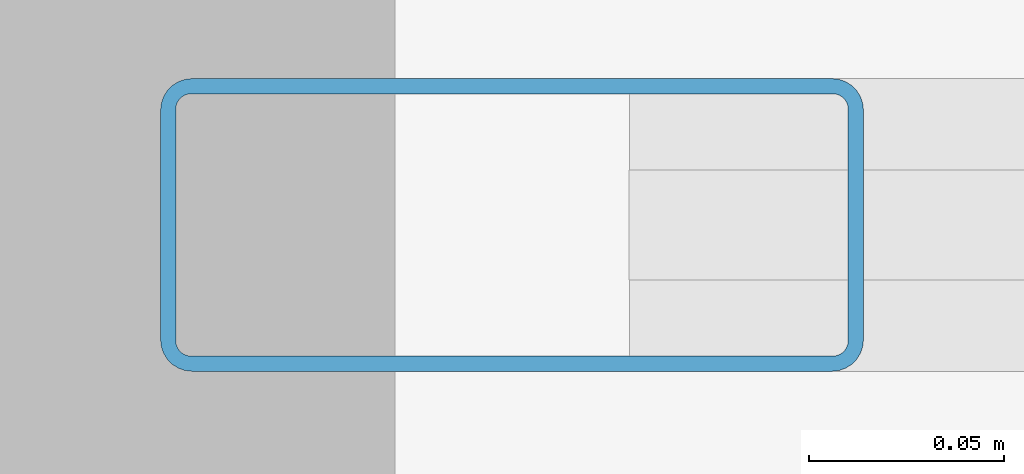
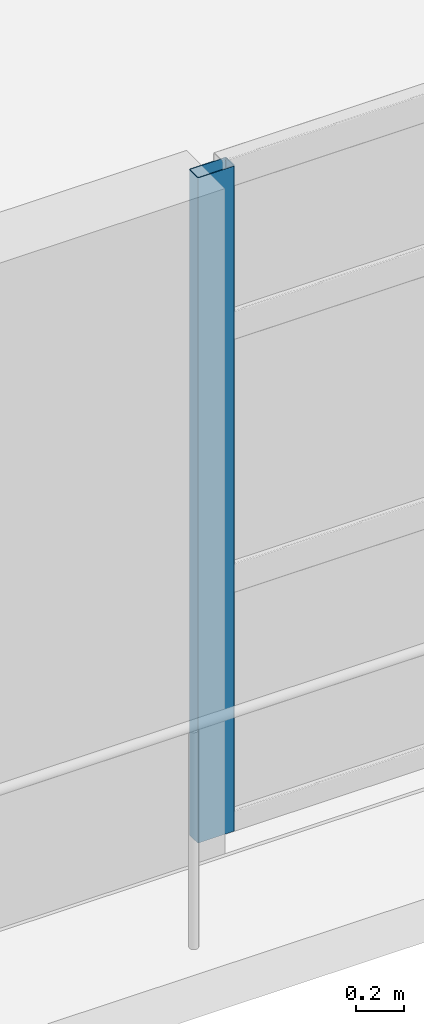
# One storey, part 2 of 24: 1 member, 1 element without a shape of its own.
"""IFC4 building model written with IfcOpenShell, lengths in metres."""

from ifc_helpers import new_model, si_unit, direction, frame, origin, origin_2d, place, context, subcontext, project, spatial, hollow_rectangle, extrude, material, layer, layer_set, material_profile, profile_set, type_object, element, aggregate, save


model = new_model("IFC4")

# Units and contexts
model_context = context("Model", 3, precision=1e-05, world=origin(), true_north=direction((0.0, 1.0)))
body_context = subcontext(model_context, "Body", "Model", "MODEL_VIEW")
ifc_project = project(units=[si_unit("LENGTHUNIT", "METRE"), si_unit("AREAUNIT", "SQUARE_METRE"), si_unit("VOLUMEUNIT", "CUBIC_METRE"), si_unit("PLANEANGLEUNIT", "RADIAN"), si_unit("MASSUNIT", "GRAM", prefix="KILO")], contexts=[model_context])

# Site, building, storey
site_placement = place(None, origin())
site = spatial("IfcSite", under=ifc_project, at=site_placement, CompositionType="ELEMENT")
building_placement = place(site_placement, origin())
building = spatial("IfcBuilding", under=site, at=building_placement, Name="Qingluan Cross Belvedere", CompositionType="ELEMENT")
storey_placement = place(building_placement, frame((0.0, 0.0, 19.199951171875)))
storey = spatial("IfcBuildingStorey", under=building, at=storey_placement, Name="L05", CompositionType="ELEMENT", Elevation=19.199951171875)

# Curtain wall, member
ifc_material_1 = material(Name="Thermally broken aluminium and Low-E glass", Category="aluminium")
ifc_layer = layer(ifc_material_1, 0.179931640625, Name="UnitisedCW_CascadeGarden")
ifc_layer_set = layer_set([ifc_layer], Name="Thermally broken aluminium and Low-E glass")
curtain_wall_type = type_object("IfcCurtainWallType", Name="UnitisedCW_CascadeGarden", PredefinedType="USERDEFINED", material=ifc_layer_set)
curtain_wall_placement = place(storey_placement, origin())
curtain_wall = element("IfcCurtainWall", 1, at=curtain_wall_placement, inside=storey, type_object=curtain_wall_type, Name="UnitisedCW_CascadeGarden run env:cw:L05:S", ObjectType="UNITISED CURTAIN WALL", PredefinedType="USERDEFINED")
ifc_material_2 = material(Name="Aluminium alloy 6063-T6", Category="aluminium")
ifc_material_profile = material_profile(ifc_material_2, hollow_rectangle(XDim=0.074951171875, YDim=0.179931640625, WallThickness=0.00390625, InnerFilletRadius=0.00390625, OuterFilletRadius=0.008056640625, at=origin_2d()), Name="CWM180x75x4")
ifc_profile_set = profile_set([ifc_material_profile], Name="Aluminium alloy 6063-T6")
member_type = type_object("IfcMemberType", Name="CWMullion_180", PredefinedType="MULLION", material=ifc_profile_set)
member_placement = place(storey_placement, frame((-5.449951171875, -36.239990234375, 0.0), z_axis=(0.0, 0.0, 1.0), x_axis=(0.0, -1.0, 0.0)))
member = element("IfcMember", 2, at=member_placement, type_object=member_type, Name="CW-P3 mullion 8", PredefinedType="MULLION", context=body_context, shape_type="SweptSolid", body=[
    extrude(hollow_rectangle(XDim=0.074951171875, YDim=0.179931640625, WallThickness=0.00390625, InnerFilletRadius=0.00390625, OuterFilletRadius=0.008056640625, at=origin_2d()), origin(), (0.0, 0.0, 1.0), 3.380126953125),
])
aggregate(curtain_wall, [member])

save(model, "model.ifc")
